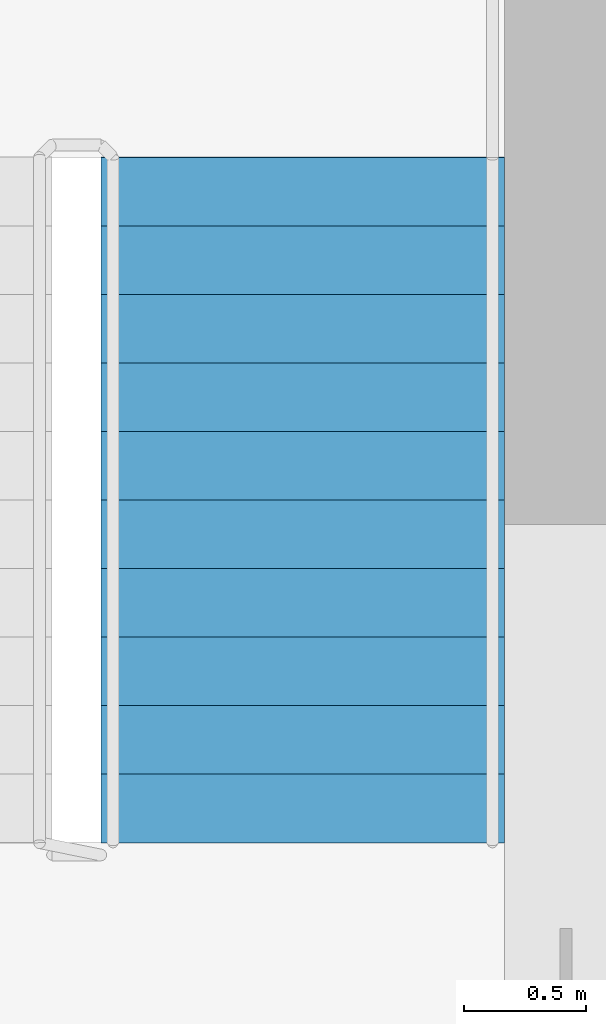
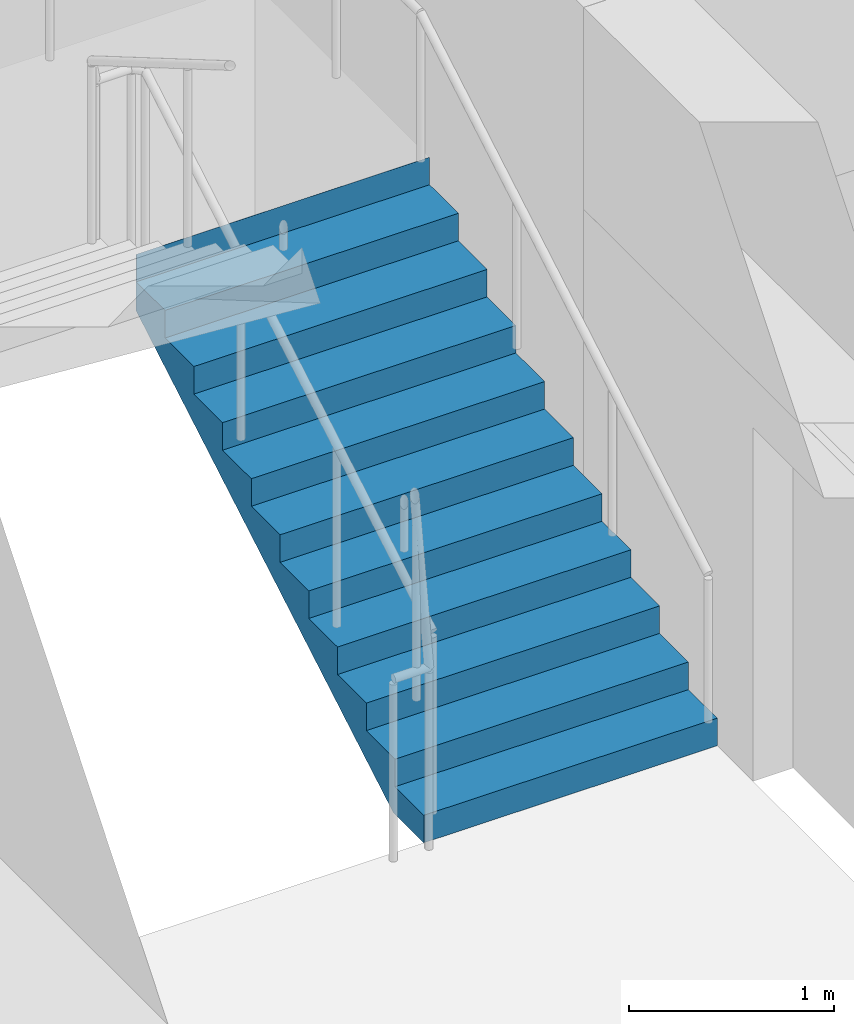
# One storey, part 13 of 14: 1 stair flight, 1 element without a shape of its own.
"""IFC4 building model written with IfcOpenShell, lengths in metres."""

from ifc_helpers import new_model, si_unit, direction, frame, origin, place, context, subcontext, project, spatial, polyline, outline, extrude, material, type_object, element, aggregate, save


model = new_model("IFC4")

# Units and contexts
model_context = context("Model", 3, precision=1e-05, world=origin(), true_north=direction((0.0, 1.0)))
body_context = subcontext(model_context, "Body", "Model", "MODEL_VIEW")
ifc_project = project(units=[si_unit("LENGTHUNIT", "METRE"), si_unit("AREAUNIT", "SQUARE_METRE"), si_unit("VOLUMEUNIT", "CUBIC_METRE"), si_unit("PLANEANGLEUNIT", "RADIAN"), si_unit("MASSUNIT", "GRAM", prefix="KILO")], contexts=[model_context])

# Site, building, storey
site_placement = place(None, origin())
site = spatial("IfcSite", under=ifc_project, at=site_placement, CompositionType="ELEMENT")
building_placement = place(site_placement, origin())
building = spatial("IfcBuilding", under=site, at=building_placement, Name="Tamorin Gate", CompositionType="ELEMENT")
storey_placement = place(building_placement, frame((0.0, 0.0, 52.0)))
storey = spatial("IfcBuildingStorey", under=building, at=storey_placement, Name="L11", CompositionType="ELEMENT", Elevation=52.0)

# Stair, stair flight
ifc_material = material(Name="Concrete C40/50", Category="concrete")
stair_type = type_object("IfcStairType", Name="Exit stair", PredefinedType="HALF_TURN_STAIR", material=ifc_material)
stair_placement = place(storey_placement, origin())
stair = element("IfcStair", 1, at=stair_placement, inside=storey, type_object=stair_type, Name="L11 stair ST2", PredefinedType="HALF_TURN_STAIR")
stair_flight_type = type_object("IfcStairFlightType", Name="Exit stair flight", PredefinedType="STRAIGHT", material=ifc_material)
stair_flight_placement = place(storey_placement, frame((33.675048828125, 77.0, 0.0), z_axis=(0.0, 0.0, 1.0), x_axis=(0.0, 1.0, 0.0)))
stair_flight = element("IfcStairFlight", 2, at=stair_flight_placement, type_object=stair_flight_type, Name="ST2 flight 1", NumberOfRisers=11, NumberOfTreads=10, PredefinedType="STRAIGHT", RiserHeight=0.163636364, TreadLength=0.28, context=body_context, shape_type="SweptSolid", body=[
    extrude(outline(polyline([(-0.00048828125, 0.0), (-0.00048828125, 0.001708984375), (-0.00048828125, 0.003173828125), (-0.00048828125, 0.0048828125), (-0.00048828125, 0.006591796875), (-0.00048828125, 0.008056640625), (-0.00048828125, 0.009765625), (-0.00048828125, 0.01123046875), (-0.00048828125, 0.012939453125), (-0.00048828125, 0.0146484375), (-0.00048828125, 0.01611328125), (-0.00048828125, 0.017822265625), (-0.00048828125, 0.01953125), (-0.00048828125, 0.02099609375), (-0.00048828125, 0.022705078125), (-0.00048828125, 0.0244140625), (-0.00048828125, 0.02587890625), (-0.00048828125, 0.027587890625), (-0.00048828125, 0.029052734375), (-0.00048828125, 0.03076171875), (-0.00048828125, 0.032470703125), (-0.00048828125, 0.033935546875), (-0.00048828125, 0.03564453125), (-0.00048828125, 0.037353515625), (-0.00048828125, 0.038818359375), (-0.00048828125, 0.04052734375), (-0.00048828125, 0.042236328125), (-0.00048828125, 0.043701171875), (-0.00048828125, 0.04541015625), (-0.00048828125, 0.046875), (-0.00048828125, 0.048583984375), (-0.00048828125, 0.05029296875), (-0.00048828125, 0.0517578125), (-0.00048828125, 0.053466796875), (-0.00048828125, 0.05517578125), (-0.00048828125, 0.056640625), (-0.00048828125, 0.058349609375), (-0.00048828125, 0.06005859375), (-0.00048828125, 0.0615234375), (-0.00048828125, 0.063232421875), (-0.00048828125, 0.064697265625), (-0.00048828125, 0.06640625), (-0.00048828125, 0.068115234375), (-0.00048828125, 0.069580078125), (-0.00048828125, 0.0712890625), (-0.00048828125, 0.072998046875), (-0.00048828125, 0.074462890625), (-0.00048828125, 0.076171875), (-0.00048828125, 0.077880859375), (-0.00048828125, 0.079345703125), (-0.00048828125, 0.0810546875), (-0.00048828125, 0.08251953125), (-0.00048828125, 0.084228515625), (-0.00048828125, 0.0859375), (-0.00048828125, 0.08740234375), (-0.00048828125, 0.089111328125), (-0.00048828125, 0.0908203125), (-0.00048828125, 0.09228515625), (-0.00048828125, 0.093994140625), (-0.00048828125, 0.095703125), (-0.00048828125, 0.09716796875), (-0.00048828125, 0.098876953125), (-0.00048828125, 0.100341796875), (-0.00048828125, 0.10205078125), (-0.00048828125, 0.103759765625), (-0.00048828125, 0.105224609375), (-0.00048828125, 0.10693359375), (-0.00048828125, 0.108642578125), (-0.00048828125, 0.110107421875), (-0.00048828125, 0.11181640625), (-0.00048828125, 0.113525390625), (-0.00048828125, 0.114990234375), (-0.00048828125, 0.11669921875), (-0.00048828125, 0.1181640625), (-0.00048828125, 0.119873046875), (-0.00048828125, 0.12158203125), (-0.00048828125, 0.123046875), (-0.00048828125, 0.124755859375), (-0.00048828125, 0.12646484375), (-0.00048828125, 0.1279296875), (-0.00048828125, 0.129638671875), (-0.00048828125, 0.13134765625), (-0.00048828125, 0.1328125), (-0.00048828125, 0.134521484375), (-0.00048828125, 0.135986328125), (-0.00048828125, 0.1376953125), (-0.00048828125, 0.139404296875), (-0.00048828125, 0.140869140625), (-0.00048828125, 0.142578125), (-0.00048828125, 0.144287109375), (-0.00048828125, 0.145751953125), (-0.00048828125, 0.1474609375), (-0.00048828125, 0.149169921875), (-0.00048828125, 0.150634765625), (-0.00048828125, 0.15234375), (-0.00048828125, 0.15380859375), (-0.00048828125, 0.155517578125), (-0.00048828125, 0.1572265625), (-0.00048828125, 0.15869140625), (-0.00048828125, 0.160400390625), (-0.00048828125, 0.162109375), (-0.00048828125, 0.16357421875), (0.280029296875, 0.16357421875), (0.280029296875, 0.327392578125), (0.56005859375, 0.327392578125), (0.56005859375, 0.490966796875), (0.840087890625, 0.490966796875), (0.840087890625, 0.654541015625), (1.1201171875, 0.654541015625), (1.1201171875, 0.818115234375), (1.39990234375, 0.818115234375), (1.39990234375, 0.98193359375), (1.679931640625, 0.98193359375), (1.679931640625, 1.1455078125), (1.9599609375, 1.1455078125), (1.9599609375, 1.30908203125), (2.239990234375, 1.30908203125), (2.239990234375, 1.47265625), (2.52001953125, 1.47265625), (2.52001953125, 1.636474609375), (2.800048828125, 1.636474609375), (2.800048828125, 1.800048828125), (2.800537109375, 1.800048828125), (2.800537109375, 1.796630859375), (2.800537109375, 1.793212890625), (2.800537109375, 1.7900390625), (2.800537109375, 1.78662109375), (2.800537109375, 1.783203125), (2.800537109375, 1.780029296875), (2.800537109375, 1.776611328125), (2.800537109375, 1.773193359375), (2.800537109375, 1.77001953125), (2.800537109375, 1.7666015625), (2.800537109375, 1.76318359375), (2.800537109375, 1.760009765625), (2.800537109375, 1.756591796875), (2.800537109375, 1.753173828125), (2.800537109375, 1.75), (2.800537109375, 1.74658203125), (2.800537109375, 1.7431640625), (2.800537109375, 1.739990234375), (2.800537109375, 1.736572265625), (2.800537109375, 1.733154296875), (2.800537109375, 1.72998046875), (2.800537109375, 1.7265625), (2.800537109375, 1.72314453125), (2.800537109375, 1.719970703125), (2.800537109375, 1.716552734375), (2.800537109375, 1.713134765625), (2.800537109375, 1.7099609375), (2.800537109375, 1.70654296875), (2.800537109375, 1.703125), (2.800537109375, 1.69970703125), (2.800537109375, 1.696533203125), (2.800537109375, 1.693115234375), (2.800537109375, 1.689697265625), (2.800537109375, 1.6865234375), (2.800537109375, 1.68310546875), (2.800537109375, 1.6796875), (2.800537109375, 1.676513671875), (2.800537109375, 1.673095703125), (2.800537109375, 1.669677734375), (2.800537109375, 1.66650390625), (2.800537109375, 1.6630859375), (2.800537109375, 1.65966796875), (2.800537109375, 1.656494140625), (2.800537109375, 1.653076171875), (2.800537109375, 1.649658203125), (2.800537109375, 1.646484375), (2.800537109375, 1.64306640625), (2.800537109375, 1.6396484375), (2.800537109375, 1.636474609375), (2.800537109375, 1.633056640625), (2.800537109375, 1.629638671875), (2.800537109375, 1.62646484375), (2.800537109375, 1.623046875), (2.800537109375, 1.61962890625), (2.800537109375, 1.616455078125), (2.800537109375, 1.613037109375), (2.800537109375, 1.609619140625), (2.800537109375, 1.6064453125), (2.800537109375, 1.60302734375), (2.800537109375, 1.599609375), (2.800537109375, 1.59619140625), (2.800537109375, 1.593017578125), (2.800537109375, 1.589599609375), (2.800537109375, 1.586181640625), (2.800537109375, 1.5830078125), (2.800537109375, 1.57958984375), (2.800537109375, 1.576171875), (2.800537109375, 1.572998046875), (2.800537109375, 1.569580078125), (2.800537109375, 1.566162109375), (2.800537109375, 1.56298828125), (2.800537109375, 1.5595703125), (2.800537109375, 1.55615234375), (2.800537109375, 1.552978515625), (2.800537109375, 1.549560546875), (2.800537109375, 1.546142578125), (2.800537109375, 1.54296875), (2.800537109375, 1.53955078125), (2.800537109375, 1.5361328125), (2.800537109375, 1.532958984375), (2.800537109375, 1.529541015625), (2.800537109375, 1.526123046875), (2.800537109375, 1.52294921875), (2.800537109375, 1.51953125), (2.800537109375, 1.51611328125), (2.800537109375, 1.512939453125), (2.800537109375, 1.509521484375), (2.800537109375, 1.506103515625), (2.800537109375, 1.5029296875), (2.800537109375, 1.49951171875), (2.800537109375, 1.49609375), (2.800537109375, 1.49267578125), (2.800537109375, 1.489501953125), (2.800537109375, 1.486083984375), (2.800537109375, 1.482666015625), (2.800537109375, 1.4794921875), (2.800537109375, 1.47607421875), (2.800537109375, 1.47265625), (2.800537109375, 1.469482421875), (2.800537109375, 1.466064453125), (2.800537109375, 1.462646484375), (2.800048828125, 1.462646484375), (0.297119140625, 0.0), (-0.00048828125, 0.0)])), frame((0.0, 0.824951171875, 0.0), z_axis=(0.0, -1.0, 0.0), x_axis=(1.0, 0.0, 0.0)), (0.0, 0.0, 1.0), 1.64990234375),
])
aggregate(stair, [stair_flight])

save(model, "model.ifc")
